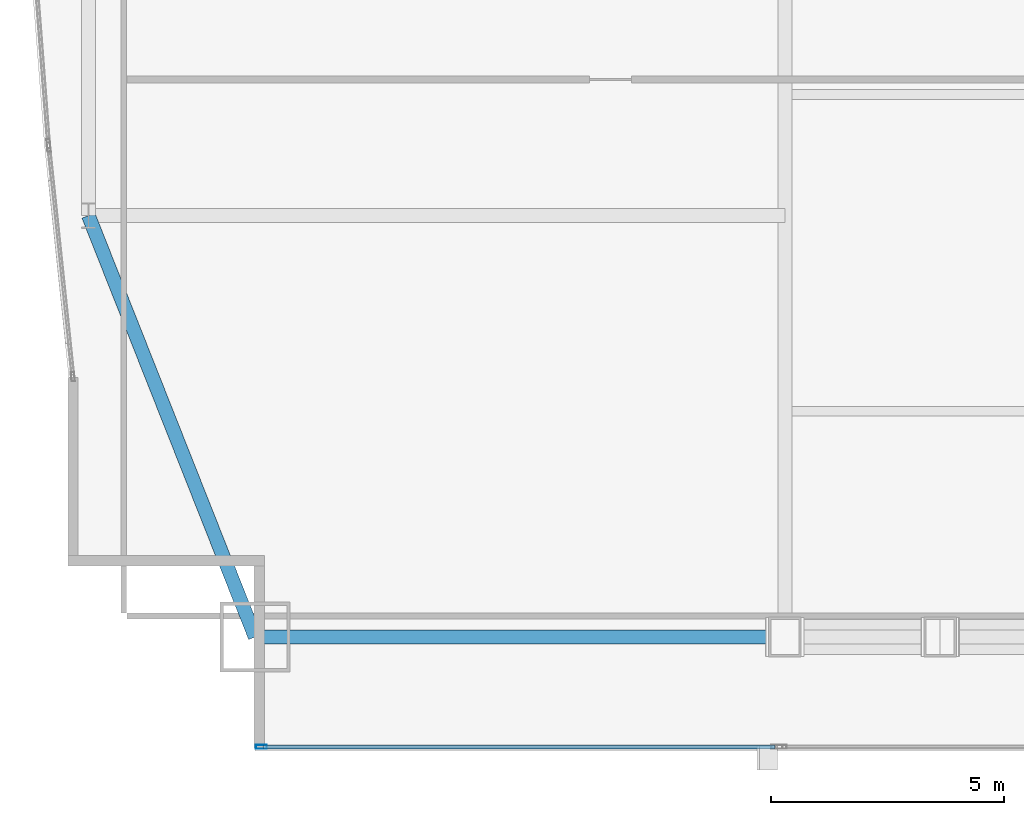
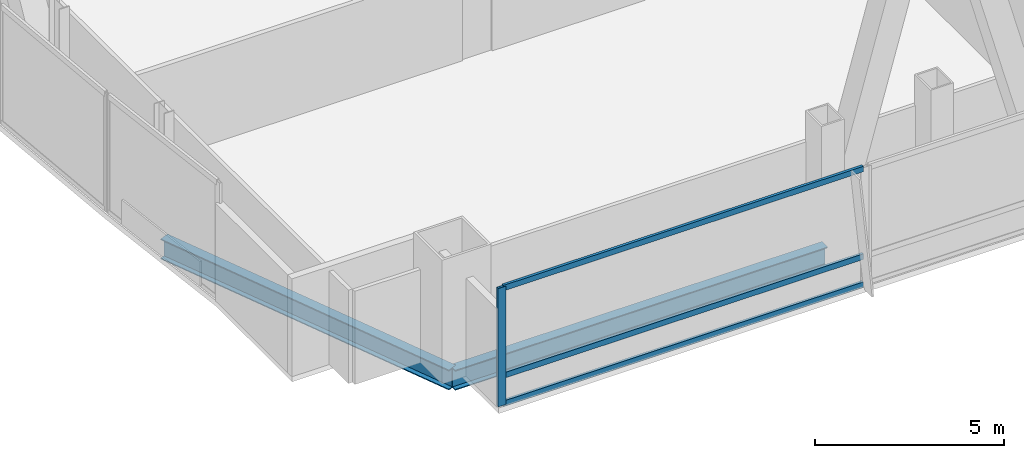
# One storey, part 5 of 32: 4 members, 2 beams, 1 element without a shape of its own.
"""IFC4 building model written with IfcOpenShell, lengths in metres."""

from ifc_helpers import new_model, si_unit, direction, frame, origin, origin_2d, place, context, subcontext, project, spatial, hollow_rectangle, i_section, extrude, material, material_profile, profile_set, type_object, element, aggregate, save


model = new_model("IFC4")

# Units and contexts
model_context = context("Model", 3, precision=1e-05, world=origin(), true_north=direction((0.0, 1.0)))
body_context = subcontext(model_context, "Body", "Model", "MODEL_VIEW")
ifc_project = project(units=[si_unit("LENGTHUNIT", "METRE"), si_unit("AREAUNIT", "SQUARE_METRE"), si_unit("VOLUMEUNIT", "CUBIC_METRE"), si_unit("PLANEANGLEUNIT", "RADIAN"), si_unit("MASSUNIT", "GRAM", prefix="KILO")], contexts=[model_context])

# Site, building, storey
site_placement = place(None, origin())
site = spatial("IfcSite", under=ifc_project, at=site_placement, CompositionType="ELEMENT")
building_placement = place(site_placement, origin())
building = spatial("IfcBuilding", under=site, at=building_placement, Name="Khoronbel Lancet Exchange", CompositionType="ELEMENT")
storey_placement = place(building_placement, frame((0.0, 0.0, 94.60009765625)))
storey = spatial("IfcBuildingStorey", under=building, at=storey_placement, Name="L22", CompositionType="ELEMENT", Elevation=94.60009765625)

# Beams
ifc_material_1 = material(Name="Steel S355", Category="steel")
ifc_material_profile_1 = material_profile(ifc_material_1, i_section(OverallWidth=0.300048828125, OverallDepth=0.64990234375, WebThickness=0.01611328125, FlangeThickness=0.031005859375, at=origin_2d()), Name="HEB 650")
ifc_profile_set_1 = profile_set([ifc_material_profile_1], Name="Steel S355")
beam_type = type_object("IfcBeamType", Name="BM-BSP1", PredefinedType="SPANDREL", material=ifc_profile_set_1)
beam_1_placement = place(storey_placement, frame((6.85009765625, 10.14990234375, -0.505126953125), z_axis=(1.0, 0.0, 0.0), x_axis=(0.0, 1.0, 0.0)))
element("IfcBeam", 1, at=beam_1_placement, inside=storey, type_object=beam_type, Name="Level L22 perimeter spandrel beam SP01", PredefinedType="SPANDREL", context=body_context, shape_type="SweptSolid", body=[
    extrude(i_section(OverallWidth=0.300048828125, OverallDepth=0.64990234375, WebThickness=0.01611328125, FlangeThickness=0.031005859375, at=origin_2d()), origin(), (0.0, 0.0, 1.0), 11.375),
])
beam_2_placement = place(storey_placement, frame((3.27001953125, 19.199951171875, -0.505126953125), z_axis=(0.367850095026, -0.92988510451, 0.0), x_axis=(0.92988510451, 0.367850095026, 0.0)))
element("IfcBeam", 2, at=beam_2_placement, inside=storey, type_object=beam_type, Name="Level L22 perimeter spandrel beam SP21", PredefinedType="SPANDREL", context=body_context, shape_type="SweptSolid", body=[
    extrude(i_section(OverallWidth=0.300048828125, OverallDepth=0.64990234375, WebThickness=0.01611328125, FlangeThickness=0.031005859375, at=origin_2d()), origin(), (0.0, 0.0, 1.0), 9.732421875),
])

# Curtain wall, members
ifc_material_2 = material(Name="Low-E Solar Control Insulating Glass", Category="glass")
curtain_wall_type = type_object("IfcCurtainWallType", Name="CW-2", PredefinedType="NOTDEFINED", material=ifc_material_2)
curtain_wall_placement = place(storey_placement, origin())
curtain_wall = element("IfcCurtainWall", 3, at=curtain_wall_placement, inside=storey, type_object=curtain_wall_type, Name="Unitised curtain wall CW-L22-SWV", PredefinedType="NOTDEFINED")
ifc_material_3 = material(Name="Bronze-Anodised Aluminium 6063-T6", Category="aluminium")
ifc_material_profile_2 = material_profile(ifc_material_3, hollow_rectangle(XDim=0.0849609375, YDim=0.239990234375, WallThickness=0.006103515625, at=origin_2d()), Name="ALU MULLION 85x240")
ifc_profile_set_2 = profile_set([ifc_material_profile_2], Name="Bronze-Anodised Aluminium 6063-T6")
member_type_1 = type_object("IfcMemberType", Name="MEM-CWM1", PredefinedType="MULLION", material=ifc_profile_set_2)
member_1_placement = place(storey_placement, frame((6.982421875, 7.7900390625, 0.0), z_axis=(0.0, 0.0, 1.0), x_axis=(0.0, 1.0, 0.0)))
member_1 = element("IfcMember", 4, at=member_1_placement, type_object=member_type_1, Name="CW2 mullion 1", PredefinedType="MULLION", context=body_context, shape_type="SweptSolid", body=[
    extrude(hollow_rectangle(XDim=0.0849609375, YDim=0.239990234375, WallThickness=0.006103515625, at=origin_2d()), origin(), (0.0, 0.0, 1.0), 3.81982421875),
])
ifc_material_profile_3 = material_profile(ifc_material_3, hollow_rectangle(XDim=0.0849609375, YDim=0.179931640625, WallThickness=0.0048828125, at=origin_2d()), Name="ALU TRANSOM 85x180")
ifc_profile_set_3 = profile_set([ifc_material_profile_3], Name="Bronze-Anodised Aluminium 6063-T6")
member_type_2 = type_object("IfcMemberType", Name="MEM-CWT1", PredefinedType="USERDEFINED", material=ifc_profile_set_3)
member_2_placement = place(storey_placement, frame((7.02490234375, 7.7900390625, 0.04248046875), z_axis=(1.0, 0.0, 0.0), x_axis=(0.0, 1.0, 0.0)))
member_2 = element("IfcMember", 5, at=member_2_placement, type_object=member_type_2, Name="CW2 transom 1.1", ObjectType="TRANSOM", PredefinedType="USERDEFINED", context=body_context, shape_type="SweptSolid", body=[
    extrude(hollow_rectangle(XDim=0.0849609375, YDim=0.179931640625, WallThickness=0.0048828125, at=origin_2d()), origin(), (0.0, 0.0, 1.0), 10.989990234375),
])
member_3_placement = place(storey_placement, frame((7.02490234375, 7.7900390625, 0.949951171875), z_axis=(1.0, 0.0, 0.0), x_axis=(0.0, 1.0, 0.0)))
member_3 = element("IfcMember", 6, at=member_3_placement, type_object=member_type_2, Name="CW2 transom 1.2", ObjectType="TRANSOM", PredefinedType="USERDEFINED", context=body_context, shape_type="SweptSolid", body=[
    extrude(hollow_rectangle(XDim=0.0849609375, YDim=0.179931640625, WallThickness=0.0048828125, at=origin_2d()), origin(), (0.0, 0.0, 1.0), 10.989990234375),
])
member_4_placement = place(storey_placement, frame((7.02490234375, 7.7900390625, 3.77734375), z_axis=(1.0, 0.0, 0.0), x_axis=(0.0, 1.0, 0.0)))
member_4 = element("IfcMember", 7, at=member_4_placement, type_object=member_type_2, Name="CW2 transom 1.3", ObjectType="TRANSOM", PredefinedType="USERDEFINED", context=body_context, shape_type="SweptSolid", body=[
    extrude(hollow_rectangle(XDim=0.0849609375, YDim=0.179931640625, WallThickness=0.0048828125, at=origin_2d()), origin(), (0.0, 0.0, 1.0), 10.989990234375),
])
aggregate(curtain_wall, [member_1, member_2, member_3, member_4])

save(model, "model.ifc")
